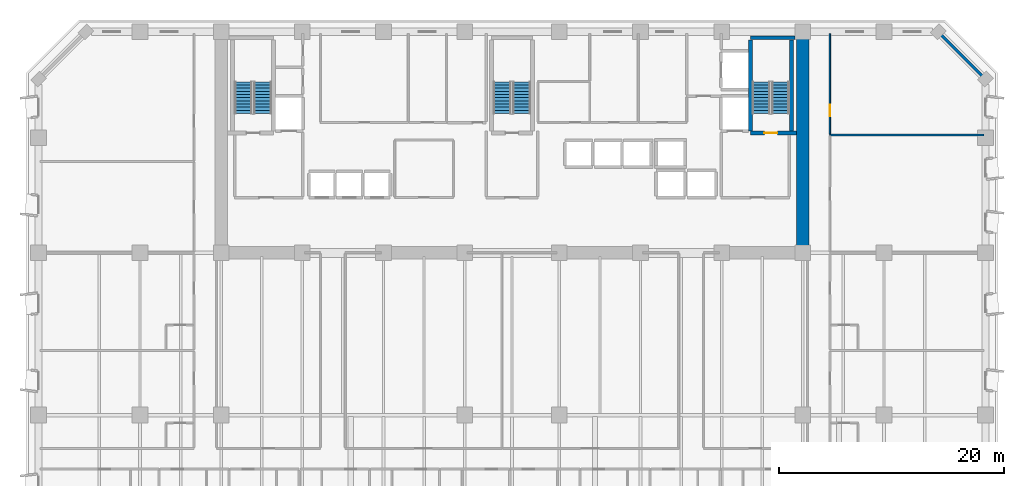
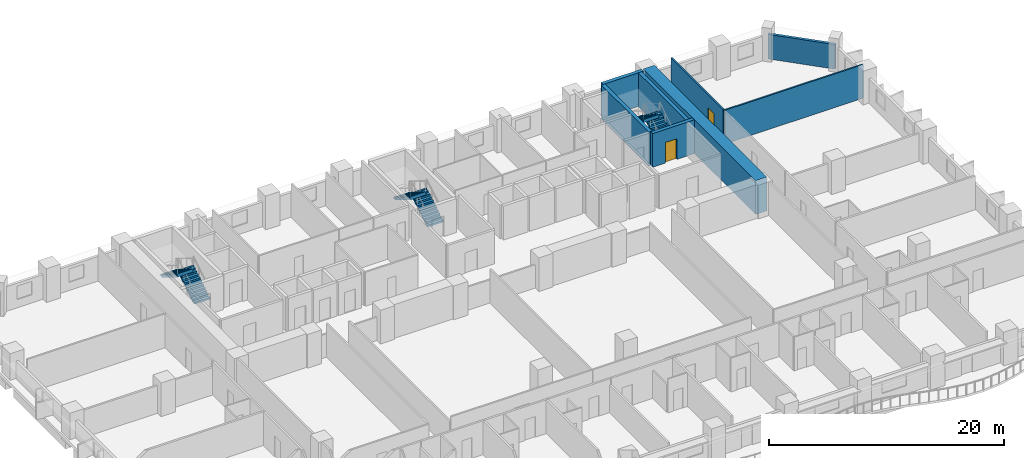
# One storey, part 11 of 15: 8 walls, 6 stair flights, 2 doors, 2 openings, 3 elements without a shape of their own.
"""IFC4 building model written with IfcOpenShell, lengths in metres."""

import ifcopenshell
import ifcopenshell.guid

model = None  # the IFC model being written
_history = None  # IfcOwnerHistory: only IFC2X3 demands one
_inside = {}  # id of a spatial element -> (the spatial element, [elements in it])
_under = {}  # id of a project, library or spatial element -> (it, [spatial elements below it])
_declared = {}  # id of a project -> (the project, [libraries it declares])
_typed = {}  # id of a type object -> (the type object, [elements of that type])
_made_of = {}  # id of a material, layer set ... -> (it, [elements and type objects made of it])


def new_model(schema):
    """Start an empty IFC model of exactly this schema.

    Asked for "IFC4X3", IfcOpenShell would pick the latest addendum, in which some entities
    have other attributes; the version numbers below select the first issue.
    IFC2X3 requires an IfcOwnerHistory on every rooted entity: one is made here for all.
    """
    global model, _history
    if schema == "IFC4X3":
        model = ifcopenshell.file(schema_version=(4, 3, 0, 0))
    else:
        model = ifcopenshell.file(schema=schema)
    _inside.clear()
    _under.clear()
    _declared.clear()
    _typed.clear()
    _made_of.clear()
    _history = None
    if model.schema == "IFC2X3":
        org = make("IfcOrganization", Name="unknown")
        user = make(
            "IfcPersonAndOrganization",
            ThePerson=make("IfcPerson", FamilyName="unknown"),
            TheOrganization=org,
        )
        app = make(
            "IfcApplication",
            ApplicationDeveloper=org,
            Version="unknown",
            ApplicationFullName="unknown",
            ApplicationIdentifier="unknown",
        )
        _history = make(
            "IfcOwnerHistory",
            OwningUser=user,
            OwningApplication=app,
            ChangeAction="ADDED",
            CreationDate=0,
        )
    return model


def make(cls, **values):
    """One entity of the class cls with the attributes given. An attribute that is None is left unset."""
    return model.create_entity(
        cls, **{name: value for name, value in values.items() if value is not None}
    )


def rooted(cls, **values):
    """An entity with a GlobalId (a new one), such as an element, a storey or a relation."""
    return make(cls, GlobalId=ifcopenshell.guid.new(), OwnerHistory=_history, **values)


def si_unit(unit_type, name, prefix=None):
    """IfcSIUnit, for example si_unit("LENGTHUNIT", "METRE", prefix="MILLI")."""
    return make("IfcSIUnit", UnitType=unit_type, Prefix=prefix, Name=name)


def assignment(units):
    """IfcUnitAssignment: the units of a project."""
    return None if units is None else make("IfcUnitAssignment", Units=units)


def point(xyz):
    """IfcCartesianPoint."""
    return None if xyz is None else make("IfcCartesianPoint", Coordinates=xyz)


def direction(xyz):
    """IfcDirection."""
    return None if xyz is None else make("IfcDirection", DirectionRatios=xyz)


def frame(location, z_axis=None, x_axis=None):
    """IfcAxis2Placement3D, a coordinate frame: its origin and axes. An axis left out is left unset."""
    return make(
        "IfcAxis2Placement3D",
        Location=point(location),
        Axis=direction(z_axis),
        RefDirection=direction(x_axis),
    )


def frame_2d(location, x_axis=None):
    """IfcAxis2Placement2D, a coordinate frame in the plane: its origin and x axis."""
    return make(
        "IfcAxis2Placement2D", Location=point(location), RefDirection=direction(x_axis)
    )


def origin():
    """The frame at (0, 0, 0) with its axes left unset."""
    return frame((0.0, 0.0, 0.0))


def place(relative_to, where):
    """IfcLocalPlacement: puts the frame where relative to a parent placement (None: the world)."""
    return make(
        "IfcLocalPlacement", PlacementRelTo=relative_to, RelativePlacement=where
    )


def context(
    kind, dimensions, precision=None, world=None, true_north=None, identifier=None
):
    """IfcGeometricRepresentationContext, for example the 3D "Model" context."""
    return make(
        "IfcGeometricRepresentationContext",
        ContextIdentifier=identifier,
        ContextType=kind,
        CoordinateSpaceDimension=dimensions,
        Precision=precision,
        WorldCoordinateSystem=world,
        TrueNorth=true_north,
    )


def subcontext(parent, identifier, kind, view, scale=None):
    """IfcGeometricRepresentationSubContext, for example "Body" below "Model"."""
    return make(
        "IfcGeometricRepresentationSubContext",
        ContextIdentifier=identifier,
        ContextType=kind,
        ParentContext=parent,
        TargetScale=scale,
        TargetView=view,
    )


def project(units=None, contexts=None):
    """IfcProject with its units and contexts."""
    return rooted(
        "IfcProject",
        Name="project",
        RepresentationContexts=contexts,
        UnitsInContext=assignment(units),
    )


def spatial(cls, under=None, at=None, **own):
    """A site, building, storey or space (cls), placed at a placement, below another one or the project."""
    s = rooted(cls, ObjectPlacement=at, **own)
    if under is not None:
        _under.setdefault(under.id(), (under, []))[1].append(s)
    return s


def polyline(points):
    """IfcPolyline through the points."""
    return make("IfcPolyline", Points=[point(p) for p in points])


def profile(cls, at=None, kind="AREA", **sizes):
    """A parametric profile (cls). Its sizes go by their IFC names, for example OverallWidth=200.0."""
    return make(cls, ProfileType=kind, Position=at, **sizes)


def rectangle(**sizes):
    """IfcRectangleProfileDef."""
    return profile("IfcRectangleProfileDef", **sizes)


def outline(outer, holes=None, kind="AREA"):
    """IfcArbitraryClosedProfileDef: a profile drawn as a closed curve; with holes, ...WithVoids."""
    if holes is None:
        return make("IfcArbitraryClosedProfileDef", ProfileType=kind, OuterCurve=outer)
    return make(
        "IfcArbitraryProfileDefWithVoids",
        ProfileType=kind,
        OuterCurve=outer,
        InnerCurves=holes,
    )


def extrude(swept, where, along, depth):
    """IfcExtrudedAreaSolid: the profile swept, set in the frame where, extruded along a direction by depth."""
    return make(
        "IfcExtrudedAreaSolid",
        SweptArea=swept,
        Position=where,
        ExtrudedDirection=direction(along),
        Depth=depth,
    )


def shape(context_of_items, identifier, shape_type, items):
    """IfcShapeRepresentation: the items that make up one representation, for example the "Body"."""
    return make(
        "IfcShapeRepresentation",
        ContextOfItems=context_of_items,
        RepresentationIdentifier=identifier,
        RepresentationType=shape_type,
        Items=items,
    )


def material(Name=None, Category=None):
    """IfcMaterial."""
    return make("IfcMaterial", Name=Name, Category=Category)


def layer(
    of_material, thickness, ventilated=None, Name=None, Category=None, Priority=None
):
    """IfcMaterialLayer: one layer of a wall or slab, of a material (None: an air gap)."""
    return make(
        "IfcMaterialLayer",
        Material=of_material,
        LayerThickness=thickness,
        IsVentilated=ventilated,
        Name=Name,
        Category=Category,
        Priority=Priority,
    )


def layer_set(layers, Name=None):
    """IfcMaterialLayerSet."""
    return make("IfcMaterialLayerSet", MaterialLayers=layers, LayerSetName=Name)


def made_of(thing, what):
    """Note that an element or type object is made of a material, layer set ...; save() writes the relation."""
    if what is not None:
        _made_of.setdefault(what.id(), (what, []))[1].append(thing)
    return thing


def type_object(cls, material=None, **own):
    """A type object (cls), such as IfcWallType, which elements share."""
    return made_of(rooted(cls, **own), material)


def element(
    cls,
    number,
    at=None,
    inside=None,
    cuts=None,
    type_object=None,
    material=None,
    context=None,
    identifier="Body",
    shape_type=None,
    held_by="IfcProductDefinitionShape",
    body=None,
    shapes=None,
    **own,
):
    """One element of the class cls, such as IfcWall. Its Tag is "e" and its number.

    at: its placement. inside: the storey or other place that contains it. cuts: it is an
    opening in that element (IfcRelVoidsElement). A single representation is given by context,
    identifier, shape_type and body (its items); several are given by shapes. held_by: the class
    of the entity that holds the representations. save() writes the other relations.
    """
    e = rooted(cls, Tag="e%d" % number, ObjectPlacement=at, **own)
    if body is not None:
        shapes = [shape(context, identifier, shape_type, body)]
    if shapes is not None:
        e.Representation = make(held_by, Representations=shapes)
    if inside is not None:
        _inside.setdefault(inside.id(), (inside, []))[1].append(e)
    if cuts is not None:
        rooted(
            "IfcRelVoidsElement", RelatingBuildingElement=cuts, RelatedOpeningElement=e
        )
    if type_object is not None:
        _typed.setdefault(type_object.id(), (type_object, []))[1].append(e)
    return made_of(e, material)


def fill(opening, filler):
    """IfcRelFillsElement: the door or window that sits in an opening."""
    return rooted(
        "IfcRelFillsElement",
        RelatingOpeningElement=opening,
        RelatedBuildingElement=filler,
    )


def aggregate(whole, parts):
    """IfcRelAggregates: a whole, such as a stair, and the parts it consists of."""
    return rooted("IfcRelAggregates", RelatingObject=whole, RelatedObjects=parts)


def save(model, path):
    """Write the relations noted so far, then the file.

    IfcRelAggregates (storeys below a building ...), IfcRelContainedInSpatialStructure (elements
    in a storey), IfcRelDefinesByType, IfcRelAssociatesMaterial and IfcRelDeclares: one each for
    every whole, place, type object, material and project.
    """
    for whole, parts in _under.values():
        aggregate(whole, parts)
    for where, things in _inside.values():
        rooted(
            "IfcRelContainedInSpatialStructure",
            RelatedElements=things,
            RelatingStructure=where,
        )
    for kind, things in _typed.values():
        rooted("IfcRelDefinesByType", RelatedObjects=things, RelatingType=kind)
    for what, things in _made_of.values():
        rooted("IfcRelAssociatesMaterial", RelatedObjects=things, RelatingMaterial=what)
    for by, libraries in _declared.values():
        rooted("IfcRelDeclares", RelatingContext=by, RelatedDefinitions=libraries)
    model.write(path)


model = new_model("IFC4")

# Units and contexts
model_context = context("Model", 3, precision=1e-05, world=origin(), true_north=direction((0.0, 1.0)))
body_context = subcontext(model_context, "Body", "Model", "MODEL_VIEW")
ifc_project = project(units=[si_unit("LENGTHUNIT", "METRE"), si_unit("AREAUNIT", "SQUARE_METRE"), si_unit("VOLUMEUNIT", "CUBIC_METRE"), si_unit("PLANEANGLEUNIT", "RADIAN"), si_unit("MASSUNIT", "GRAM", prefix="KILO")], contexts=[model_context])

# Site, building, storey
site_placement = place(None, origin())
site = spatial("IfcSite", under=ifc_project, at=site_placement, CompositionType="ELEMENT")
building_placement = place(site_placement, origin())
building = spatial("IfcBuilding", under=site, at=building_placement, Name="Kaelvorn Grand Hotel", CompositionType="ELEMENT")
storey_placement = place(building_placement, frame((0.0, 0.0, 38.89990234375)))
storey = spatial("IfcBuildingStorey", under=building, at=storey_placement, Name="L07", CompositionType="ELEMENT", Elevation=38.89990234375)

# Walls
ifc_material_1 = material(Name="Concrete C80/95", Category="concrete")
ifc_layer_1 = layer(ifc_material_1, 1.10009765625)
ifc_layer_set_1 = layer_set([ifc_layer_1], Name="Concrete C80/95")
wall_type_1 = type_object("IfcWallType", Name="WL-CORE-1100-C80", PredefinedType="SHEAR", material=ifc_layer_set_1)
wall_1_placement = place(storey_placement, frame((67.800048828125, 29.39990234375, 0.0), z_axis=(0.0, 0.0, 1.0), x_axis=(0.0, 1.0, 0.0)))
element("IfcWall", 1, at=wall_1_placement, inside=storey, type_object=wall_type_1, Name="L07 Rear-Core East Shear Wall", PredefinedType="SHEAR", context=body_context, shape_type="SweptSolid", body=[
    extrude(rectangle(XDim=19.2001953125, YDim=1.10009765625, at=frame_2d((9.60009765625, 0.0))), origin(), (0.0, 0.0, 1.0), 3.510009765625),
])
ifc_material_2 = material(Name="Concrete C40/50", Category="concrete")
ifc_layer_2 = layer(ifc_material_2, 0.260009765625)
ifc_layer_set_2 = layer_set([ifc_layer_2], Name="Concrete C40/50")
wall_type_2 = type_object("IfcWallType", Name="WL-EXT-260-C40", PredefinedType="SOLIDWALL", material=ifc_layer_set_2)
wall_2_placement = place(storey_placement, frame((84.0, 44.800048828125, 0.0), z_axis=(0.0, 0.0, 1.0), x_axis=(-0.707106781187, 0.707106781187, 0.0)))
element("IfcWall", 2, at=wall_2_placement, inside=storey, type_object=wall_type_2, Name="L07 Exterior Architectural Concrete Wall 04", PredefinedType="SOLIDWALL", context=body_context, shape_type="SweptSolid", body=[
    extrude(rectangle(XDim=5.939697265625, YDim=0.260009765625, at=frame_2d((2.9697265625, 0.0))), origin(), (0.0, 0.0, 1.0), 2.56005859375),
])
ifc_material_3 = material(Name="Acoustic Gypsum & Stud Partition")
ifc_layer_3 = layer(ifc_material_3, 0.14990234375)
ifc_layer_set_3 = layer_set([ifc_layer_3], Name="Acoustic Gypsum & Stud Partition")
wall_type_3 = type_object("IfcWallType", Name="WL-PART-150-EI60", PredefinedType="PARTITIONING", material=ifc_layer_set_3)
wall_3_placement = place(storey_placement, frame((70.199951171875, 39.85009765625, 0.0), z_axis=(0.0, 0.0, 1.0), x_axis=(1.0, 0.0, 0.0)))
element("IfcWall", 3, at=wall_3_placement, inside=storey, type_object=wall_type_3, Name="L07 North-East Wellness Fitness Gym N Partition", PredefinedType="PARTITIONING", context=body_context, shape_type="SweptSolid", body=[
    extrude(rectangle(XDim=13.650146484375, YDim=0.14990234375, at=frame_2d((6.8251953125, 0.0))), origin(), (0.0, 0.0, 1.0), 3.510009765625),
])

# Wall, opening, door
wall_4_placement = place(storey_placement, frame((70.199951171875, 39.929931640625, 0.0), z_axis=(0.0, 0.0, 1.0), x_axis=(0.0, 1.0, 0.0)))
wall_4 = element("IfcWall", 4, at=wall_4_placement, inside=storey, type_object=wall_type_3, Name="L07 North-East Private Dining Restaurant W Partition", PredefinedType="PARTITIONING", context=body_context, shape_type="SweptSolid", body=[
    extrude(rectangle(XDim=8.920166015625, YDim=0.14990234375, at=frame_2d((4.4599609375, 0.0))), origin(), (0.0, 0.0, 1.0), 3.510009765625),
])
opening_1_placement = place(wall_4_placement, frame((1.60009765625, 0.0, 0.0)))
opening_1 = element("IfcOpeningElement", 5, at=opening_1_placement, cuts=wall_4, Name="Opening DI3", PredefinedType="OPENING", context=body_context, shape_type="SweptSolid", body=[
    extrude(rectangle(XDim=1.0, YDim=2.14990234375, at=frame_2d((0.5, 1.074951171875))), frame((0.0, 0.0849609375, 0.0), z_axis=(0.0, -1.0, 0.0), x_axis=(1.0, 0.0, 0.0)), (0.0, 0.0, 1.0), 0.169921875),
])
ifc_material_4 = material(Name="Timber Veneer Fire Leaf", Category="wood")
door_type_1 = type_object("IfcDoorType", Name="DR-INT-GUEST-1000x2150", OperationType="NOTDEFINED", PredefinedType="DOOR", material=ifc_material_4)
door_1_placement = place(opening_1_placement, origin())
door_1 = element("IfcDoor", 6, at=door_1_placement, inside=storey, type_object=door_type_1, Name="L07 North-East Private Dining Restaurant Door", OperationType="SINGLE_SWING_RIGHT", OverallHeight=2.14990234375, OverallWidth=1.0, PredefinedType="DOOR", context=body_context, shape_type="SweptSolid", body=[
    extrude(rectangle(XDim=1.0, YDim=2.14990234375, at=frame_2d((0.5, 1.074951171875))), frame((0.0, 0.02490234375, 0.0), z_axis=(0.0, -1.0, 0.0), x_axis=(1.0, 0.0, 0.0)), (0.0, 0.0, 1.0), 0.050048828125),
])
fill(opening_1, door_1)

ifc_material_5 = material(Name="Concrete C60/75", Category="concrete")
ifc_layer_4 = layer(ifc_material_5, 0.35009765625)
ifc_layer_set_4 = layer_set([ifc_layer_4], Name="Concrete C60/75")
wall_type_4 = type_object("IfcWallType", Name="WL-SHAFT-350-C60", PredefinedType="SHEAR", material=ifc_layer_set_4)
wall_5_placement = place(storey_placement, frame((63.14501953125, 40.02490234375, 0.0), z_axis=(0.0, 0.0, 1.0), x_axis=(1.0, 0.0, 0.0)))
wall_5 = element("IfcWall", 7, at=wall_5_placement, inside=storey, type_object=wall_type_4, Name="L07 ST3 Stair Shaft South Wall", PredefinedType="SHEAR", context=body_context, shape_type="SweptSolid", body=[
    extrude(rectangle(XDim=4.10009765625, YDim=0.35009765625, at=frame_2d((2.050048828125, 0.0))), origin(), (0.0, 0.0, 1.0), 3.510009765625),
])
opening_2_placement = place(wall_5_placement, frame((1.239990234375, 0.0, 0.0)))
opening_2 = element("IfcOpeningElement", 8, at=opening_2_placement, cuts=wall_5, Name="Opening DI1", PredefinedType="OPENING", context=body_context, shape_type="SweptSolid", body=[
    extrude(rectangle(XDim=1.14990234375, YDim=2.14990234375, at=frame_2d((0.574951171875, 1.074951171875))), frame((0.0, 0.18505859375, 0.0), z_axis=(0.0, -1.0, 0.0), x_axis=(1.0, 0.0, 0.0)), (0.0, 0.0, 1.0), 0.3701171875),
])
door_type_2 = type_object("IfcDoorType", Name="DR-INT-STAIR-1150x2150", OperationType="NOTDEFINED", PredefinedType="DOOR", material=ifc_material_4)
door_2_placement = place(opening_2_placement, origin())
door_2 = element("IfcDoor", 9, at=door_2_placement, inside=storey, type_object=door_type_2, Name="L07 ST3 Exit Stair Fire Door", OperationType="SINGLE_SWING_LEFT", OverallHeight=2.14990234375, OverallWidth=1.14990234375, PredefinedType="DOOR", context=body_context, shape_type="SweptSolid", body=[
    extrude(rectangle(XDim=1.14990234375, YDim=2.14990234375, at=frame_2d((0.574951171875, 1.074951171875))), frame((0.0, 0.02490234375, 0.0), z_axis=(0.0, -1.0, 0.0), x_axis=(1.0, 0.0, 0.0)), (0.0, 0.0, 1.0), 0.050048828125),
])
fill(opening_2, door_2)

# Walls
wall_6_placement = place(storey_placement, frame((63.14501953125, 48.47509765625, 0.0), z_axis=(0.0, 0.0, 1.0), x_axis=(1.0, 0.0, 0.0)))
element("IfcWall", 10, at=wall_6_placement, inside=storey, type_object=wall_type_4, Name="L07 ST3 Stair Shaft North Wall", PredefinedType="SHEAR", context=body_context, shape_type="SweptSolid", body=[
    extrude(rectangle(XDim=3.949951171875, YDim=0.35009765625, at=frame_2d((1.97509765625, 0.0))), origin(), (0.0, 0.0, 1.0), 3.510009765625),
])
for number, where, z_axis, x_axis, name in (
    (11, (63.14501953125, 40.205078125, 0.0), (0.0, 0.0, 1.0), (0.0, 1.0, 0.0), "L07 ST3 Stair Shaft West Wall"),
    (12, (66.77490234375, 40.205078125, 0.0), (0.0, 0.0, 1.0), (0.0, 1.0, 0.0), "L07 ST3 Stair Shaft East Wall"),
):
    element("IfcWall", number, at=place(storey_placement, frame(where, z_axis=z_axis, x_axis=x_axis)), inside=storey, type_object=wall_type_4, Name=name, PredefinedType="SHEAR", context=body_context, shape_type="SweptSolid", body=[
        extrude(rectangle(XDim=8.08984375, YDim=0.35009765625, at=frame_2d((4.044921875, 0.0))), origin(), (0.0, 0.0, 1.0), 3.510009765625),
    ])

# Stair, stair flights
stair_type = type_object("IfcStairType", Name="STR-DOG-1560-R06", PredefinedType="HALF_TURN_STAIR", material=ifc_material_2)
stair_1_placement = place(storey_placement, origin())
stair_1 = element("IfcStair", 13, at=stair_1_placement, inside=storey, type_object=stair_type, Name="L07 West Core Exit Stair ST1", PredefinedType="HALF_TURN_STAIR")
stair_flight_type = type_object("IfcStairFlightType", Name="FLG-DOG-1560-R06", PredefinedType="STRAIGHT", material=ifc_material_2)
stair_flight_1_placement = place(storey_placement, frame((19.89990234375, 41.760009765625, 0.0), z_axis=(0.0, 0.0, 1.0), x_axis=(0.0, 1.0, 0.0)))
stair_flight_1 = element("IfcStairFlight", 14, at=stair_flight_1_placement, type_object=stair_flight_type, Name="ST1 flight 1", NumberOfRisers=11, NumberOfTreads=10, PredefinedType="STRAIGHT", RiserHeight=0.170454545, TreadLength=0.28, context=body_context, shape_type="SweptSolid", body=[
    extrude(outline(polyline([(-0.0048828125, 0.0), (-0.0048828125, 0.0400390625), (0.0, 0.17041015625), (0.280029296875, 0.17041015625), (0.280029296875, 0.3408203125), (0.56005859375, 0.3408203125), (0.56005859375, 0.511474609375), (0.840087890625, 0.511474609375), (0.840087890625, 0.681884765625), (1.1201171875, 0.681884765625), (1.1201171875, 0.852294921875), (1.39990234375, 0.852294921875), (1.39990234375, 1.022705078125), (1.679931640625, 1.022705078125), (1.679931640625, 1.193115234375), (1.9599609375, 1.193115234375), (1.9599609375, 1.363525390625), (2.239990234375, 1.363525390625), (2.239990234375, 1.5341796875), (2.52001953125, 1.5341796875), (2.52001953125, 1.70458984375), (2.800048828125, 1.70458984375), (2.800048828125, 1.875), (2.804931640625, 1.875), (2.804931640625, 1.529052734375), (0.288330078125, 0.0), (-0.0048828125, 0.0)])), frame((0.0, 0.780029296875, 0.0), z_axis=(0.0, -1.0, 0.0), x_axis=(1.0, 0.0, 0.0)), (0.0, 0.0, 1.0), 1.56005859375),
])
stair_flight_2_placement = place(storey_placement, frame((18.179931640625, 44.56005859375, 1.875), z_axis=(0.0, 0.0, 1.0), x_axis=(0.0, -1.0, 0.0)))
stair_flight_2 = element("IfcStairFlight", 15, at=stair_flight_2_placement, type_object=stair_flight_type, Name="ST1 flight 2", NumberOfRisers=11, NumberOfTreads=10, PredefinedType="STRAIGHT", RiserHeight=0.170454545, TreadLength=0.28, context=body_context, shape_type="SweptSolid", body=[
    extrude(outline(polyline([(-0.0048828125, 0.0), (-0.0048828125, 0.0400390625), (0.0, 0.17041015625), (0.280029296875, 0.17041015625), (0.280029296875, 0.3408203125), (0.56005859375, 0.3408203125), (0.56005859375, 0.511474609375), (0.840087890625, 0.511474609375), (0.840087890625, 0.681884765625), (1.1201171875, 0.681884765625), (1.1201171875, 0.852294921875), (1.39990234375, 0.852294921875), (1.39990234375, 1.022705078125), (1.679931640625, 1.022705078125), (1.679931640625, 1.193115234375), (1.9599609375, 1.193115234375), (1.9599609375, 1.363525390625), (2.239990234375, 1.363525390625), (2.239990234375, 1.5341796875), (2.52001953125, 1.5341796875), (2.52001953125, 1.70458984375), (2.800048828125, 1.70458984375), (2.800048828125, 1.875), (2.804931640625, 1.875), (2.804931640625, 1.529052734375), (0.288330078125, 0.0), (-0.0048828125, 0.0)])), frame((0.0, 0.780029296875, 0.0), z_axis=(0.0, -1.0, 0.0), x_axis=(1.0, 0.0, 0.0)), (0.0, 0.0, 1.0), 1.56005859375),
])
aggregate(stair_1, [stair_flight_1, stair_flight_2])

stair_2_placement = place(storey_placement, origin())
stair_2 = element("IfcStair", 16, at=stair_2_placement, inside=storey, type_object=stair_type, Name="L07 Central Core Exit Stair ST2", PredefinedType="HALF_TURN_STAIR")
stair_flight_3_placement = place(storey_placement, frame((42.860107421875, 41.760009765625, 0.0), z_axis=(0.0, 0.0, 1.0), x_axis=(0.0, 1.0, 0.0)))
stair_flight_3 = element("IfcStairFlight", 17, at=stair_flight_3_placement, type_object=stair_flight_type, Name="ST2 flight 1", NumberOfRisers=11, NumberOfTreads=10, PredefinedType="STRAIGHT", RiserHeight=0.170454545, TreadLength=0.28, context=body_context, shape_type="SweptSolid", body=[
    extrude(outline(polyline([(-0.0048828125, 0.0), (-0.0048828125, 0.0400390625), (0.0, 0.17041015625), (0.280029296875, 0.17041015625), (0.280029296875, 0.3408203125), (0.56005859375, 0.3408203125), (0.56005859375, 0.511474609375), (0.840087890625, 0.511474609375), (0.840087890625, 0.681884765625), (1.1201171875, 0.681884765625), (1.1201171875, 0.852294921875), (1.39990234375, 0.852294921875), (1.39990234375, 1.022705078125), (1.679931640625, 1.022705078125), (1.679931640625, 1.193115234375), (1.9599609375, 1.193115234375), (1.9599609375, 1.363525390625), (2.239990234375, 1.363525390625), (2.239990234375, 1.5341796875), (2.52001953125, 1.5341796875), (2.52001953125, 1.70458984375), (2.800048828125, 1.70458984375), (2.800048828125, 1.875), (2.804931640625, 1.875), (2.804931640625, 1.529052734375), (0.288330078125, 0.0), (-0.0048828125, 0.0)])), frame((0.0, 0.780029296875, 0.0), z_axis=(0.0, -1.0, 0.0), x_axis=(1.0, 0.0, 0.0)), (0.0, 0.0, 1.0), 1.56005859375),
])
stair_flight_4_placement = place(storey_placement, frame((41.139892578125, 44.56005859375, 1.875), z_axis=(0.0, 0.0, 1.0), x_axis=(0.0, -1.0, 0.0)))
stair_flight_4 = element("IfcStairFlight", 18, at=stair_flight_4_placement, type_object=stair_flight_type, Name="ST2 flight 2", NumberOfRisers=11, NumberOfTreads=10, PredefinedType="STRAIGHT", RiserHeight=0.170454545, TreadLength=0.28, context=body_context, shape_type="SweptSolid", body=[
    extrude(outline(polyline([(-0.0048828125, 0.0), (-0.0048828125, 0.0400390625), (0.0, 0.17041015625), (0.280029296875, 0.17041015625), (0.280029296875, 0.3408203125), (0.56005859375, 0.3408203125), (0.56005859375, 0.511474609375), (0.840087890625, 0.511474609375), (0.840087890625, 0.681884765625), (1.1201171875, 0.681884765625), (1.1201171875, 0.852294921875), (1.39990234375, 0.852294921875), (1.39990234375, 1.022705078125), (1.679931640625, 1.022705078125), (1.679931640625, 1.193115234375), (1.9599609375, 1.193115234375), (1.9599609375, 1.363525390625), (2.239990234375, 1.363525390625), (2.239990234375, 1.5341796875), (2.52001953125, 1.5341796875), (2.52001953125, 1.70458984375), (2.800048828125, 1.70458984375), (2.800048828125, 1.875), (2.804931640625, 1.875), (2.804931640625, 1.529052734375), (0.288330078125, 0.0), (-0.0048828125, 0.0)])), frame((0.0, 0.780029296875, 0.0), z_axis=(0.0, -1.0, 0.0), x_axis=(1.0, 0.0, 0.0)), (0.0, 0.0, 1.0), 1.56005859375),
])
aggregate(stair_2, [stair_flight_3, stair_flight_4])

stair_3_placement = place(storey_placement, origin())
stair_3 = element("IfcStair", 19, at=stair_3_placement, inside=storey, type_object=stair_type, Name="L07 East Core Exit Stair ST3", PredefinedType="HALF_TURN_STAIR")
stair_flight_5_placement = place(storey_placement, frame((65.820068359375, 41.760009765625, 0.0), z_axis=(0.0, 0.0, 1.0), x_axis=(0.0, 1.0, 0.0)))
stair_flight_5 = element("IfcStairFlight", 20, at=stair_flight_5_placement, type_object=stair_flight_type, Name="ST3 flight 1", NumberOfRisers=11, NumberOfTreads=10, PredefinedType="STRAIGHT", RiserHeight=0.170454545, TreadLength=0.28, context=body_context, shape_type="SweptSolid", body=[
    extrude(outline(polyline([(-0.0048828125, 0.0), (-0.0048828125, 0.0400390625), (0.0, 0.17041015625), (0.280029296875, 0.17041015625), (0.280029296875, 0.3408203125), (0.56005859375, 0.3408203125), (0.56005859375, 0.511474609375), (0.840087890625, 0.511474609375), (0.840087890625, 0.681884765625), (1.1201171875, 0.681884765625), (1.1201171875, 0.852294921875), (1.39990234375, 0.852294921875), (1.39990234375, 1.022705078125), (1.679931640625, 1.022705078125), (1.679931640625, 1.193115234375), (1.9599609375, 1.193115234375), (1.9599609375, 1.363525390625), (2.239990234375, 1.363525390625), (2.239990234375, 1.5341796875), (2.52001953125, 1.5341796875), (2.52001953125, 1.70458984375), (2.800048828125, 1.70458984375), (2.800048828125, 1.875), (2.804931640625, 1.875), (2.804931640625, 1.529052734375), (0.288330078125, 0.0), (-0.0048828125, 0.0)])), frame((0.0, 0.780029296875, 0.0), z_axis=(0.0, -1.0, 0.0), x_axis=(1.0, 0.0, 0.0)), (0.0, 0.0, 1.0), 1.56005859375),
])
stair_flight_6_placement = place(storey_placement, frame((64.10009765625, 44.56005859375, 1.875), z_axis=(0.0, 0.0, 1.0), x_axis=(0.0, -1.0, 0.0)))
stair_flight_6 = element("IfcStairFlight", 21, at=stair_flight_6_placement, type_object=stair_flight_type, Name="ST3 flight 2", NumberOfRisers=11, NumberOfTreads=10, PredefinedType="STRAIGHT", RiserHeight=0.170454545, TreadLength=0.28, context=body_context, shape_type="SweptSolid", body=[
    extrude(outline(polyline([(-0.0048828125, 0.0), (-0.0048828125, 0.0400390625), (0.0, 0.17041015625), (0.280029296875, 0.17041015625), (0.280029296875, 0.3408203125), (0.56005859375, 0.3408203125), (0.56005859375, 0.511474609375), (0.840087890625, 0.511474609375), (0.840087890625, 0.681884765625), (1.1201171875, 0.681884765625), (1.1201171875, 0.852294921875), (1.39990234375, 0.852294921875), (1.39990234375, 1.022705078125), (1.679931640625, 1.022705078125), (1.679931640625, 1.193115234375), (1.9599609375, 1.193115234375), (1.9599609375, 1.363525390625), (2.239990234375, 1.363525390625), (2.239990234375, 1.5341796875), (2.52001953125, 1.5341796875), (2.52001953125, 1.70458984375), (2.800048828125, 1.70458984375), (2.800048828125, 1.875), (2.804931640625, 1.875), (2.804931640625, 1.529052734375), (0.288330078125, 0.0), (-0.0048828125, 0.0)])), frame((0.0, 0.780029296875, 0.0), z_axis=(0.0, -1.0, 0.0), x_axis=(1.0, 0.0, 0.0)), (0.0, 0.0, 1.0), 1.56005859375),
])
aggregate(stair_3, [stair_flight_5, stair_flight_6])

save(model, "model.ifc")
